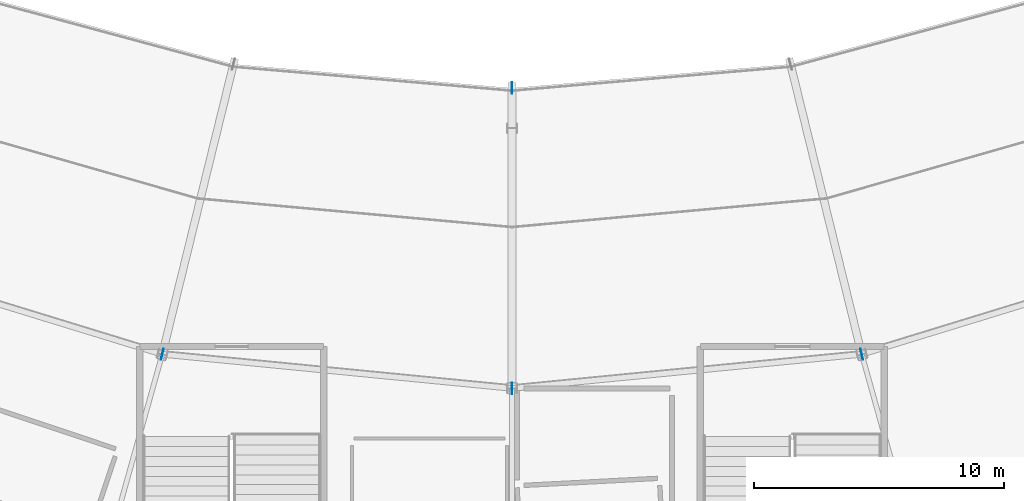
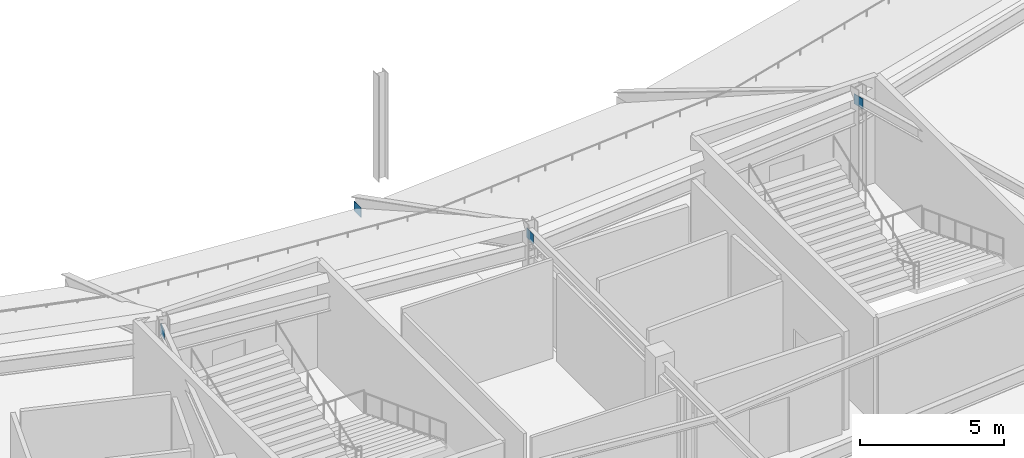
# One storey, part 21 of 63: 4 plates.
"""IFC4 building model written with IfcOpenShell, lengths in metres."""

from ifc_helpers import new_model, si_unit, direction, frame, origin, origin_2d, place, context, subcontext, project, spatial, rectangle, extrude, material, layer, layer_set, type_object, element, save


model = new_model("IFC4")

# Units and contexts
model_context = context("Model", 3, precision=1e-05, world=origin(), true_north=direction((0.0, 1.0)))
body_context = subcontext(model_context, "Body", "Model", "MODEL_VIEW")
ifc_project = project(units=[si_unit("LENGTHUNIT", "METRE"), si_unit("AREAUNIT", "SQUARE_METRE"), si_unit("VOLUMEUNIT", "CUBIC_METRE"), si_unit("PLANEANGLEUNIT", "RADIAN"), si_unit("MASSUNIT", "GRAM", prefix="KILO")], contexts=[model_context])

# Site, building, storey
site_placement = place(None, origin())
site = spatial("IfcSite", under=ifc_project, at=site_placement, CompositionType="ELEMENT")
building_placement = place(site_placement, origin())
building = spatial("IfcBuilding", under=site, at=building_placement, Name="Kalgoora Escarpment Arena", CompositionType="ELEMENT")
storey_placement = place(building_placement, frame((0.0, 0.0, 14.39990234375)))
storey = spatial("IfcBuildingStorey", under=building, at=storey_placement, Name="L03", CompositionType="ELEMENT", Elevation=14.39990234375)

# Plates
ifc_material = material(Name="Structural steel Grade 350 (350 MPa)", Category="steel")
ifc_layer = layer(ifc_material, 0.02490234375)
ifc_layer_set = layer_set([ifc_layer], Name="PLT-GUSSET-25")
plate_type = type_object("IfcPlateType", Name="PLT-GUSSET-25", PredefinedType="USERDEFINED", material=ifc_layer_set)
for number, where, z_axis, x_axis, name in (
    (1, (78.423828125, 25.363037109375, 3.64013671875), (0.0, 0.0, 1.0), (-0.238533457579, -0.97113427991, 0.0), "Upper bowl raker wall embedment plate R18"),
    (2, (92.39990234375, 36.0, -2.509765625), (0.0, 0.0, 1.0), (0.0, -1.0, 0.0), "Upper bowl raker inner end plate R19"),
    (3, (92.39990234375, 24.0, 3.64013671875), (0.0, 0.0, 1.0), (0.0, -1.0, 0.0), "Upper bowl raker wall embedment plate R19"),
    (4, (106.376220703125, 25.363037109375, 3.64013671875), (0.0, 0.0, 1.0), (0.238533457579, -0.97113427991, 0.0), "Upper bowl raker wall embedment plate R20"),
):
    element("IfcPlate", number, at=place(storey_placement, frame(where, z_axis=z_axis, x_axis=x_axis)), inside=storey, type_object=plate_type, Name=name, ObjectType="FLANGE PLATE", PredefinedType="USERDEFINED", context=body_context, shape_type="SweptSolid", body=[
        extrude(rectangle(XDim=0.4599609375, YDim=0.02490234375, at=origin_2d()), origin(), (0.0, 0.0, 1.0), 0.419921875),
    ])

save(model, "model.ifc")
